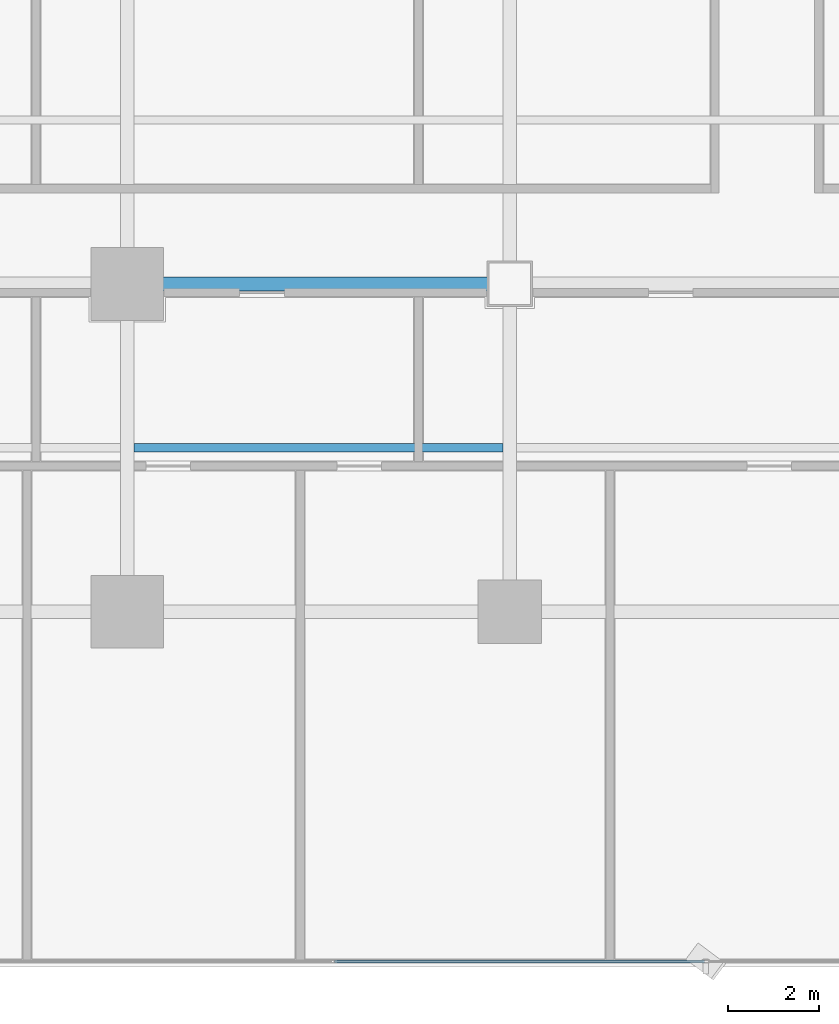
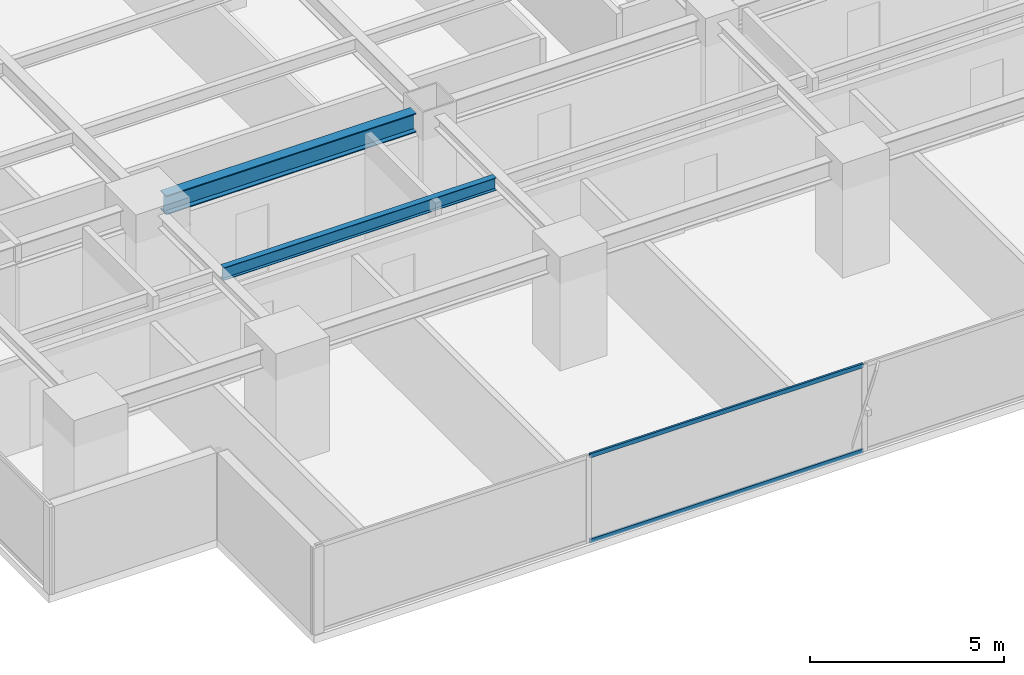
# One storey, part 5 of 37: 2 beams, 2 members, 1 element without a shape of its own.
"""IFC4 building model written with IfcOpenShell, lengths in metres."""

from ifc_helpers import new_model, si_unit, direction, frame, origin, origin_2d, place, context, subcontext, project, spatial, hollow_rectangle, i_section, extrude, source, transform, mapped, material, layer, layer_set, material_profile, profile_set, type_object, element, aggregate, save


model = new_model("IFC4")

# Units and contexts
model_context = context("Model", 3, precision=1e-05, world=origin(), true_north=direction((0.0, 1.0)))
body_context = subcontext(model_context, "Body", "Model", "MODEL_VIEW")
ifc_project = project(units=[si_unit("LENGTHUNIT", "METRE"), si_unit("AREAUNIT", "SQUARE_METRE"), si_unit("VOLUMEUNIT", "CUBIC_METRE"), si_unit("PLANEANGLEUNIT", "RADIAN"), si_unit("MASSUNIT", "GRAM", prefix="KILO")], contexts=[model_context])

# Site, building, storey
site_placement = place(None, origin())
site = spatial("IfcSite", under=ifc_project, at=site_placement, CompositionType="ELEMENT")
building_placement = place(site_placement, origin())
building = spatial("IfcBuilding", under=site, at=building_placement, Name="Sumidabori Civic Tower", CompositionType="ELEMENT")
storey_placement = place(building_placement, frame((0.0, 0.0, 117.199951171875)))
storey = spatial("IfcBuildingStorey", under=building, at=storey_placement, Name="L30", CompositionType="ELEMENT", Elevation=117.199951171875)

# Beams
ifc_material_1 = material(Name="Steel SN490", Category="steel")
ifc_material_profile_1 = material_profile(ifc_material_1, i_section(OverallWidth=0.300048828125, OverallDepth=0.60009765625, WebThickness=0.015380859375, FlangeThickness=0.030029296875, at=origin_2d()), Name="HE 600 B")
ifc_profile_set_1 = profile_set([ifc_material_profile_1], Name="Steel SN490")
beam_type_1 = type_object("IfcBeamType", Name="BM-GIRD-600", PredefinedType="BEAM", material=ifc_profile_set_1)
shared_shape_1 = source(origin(), body_context, "Body", "SweptSolid", [
    extrude(i_section(OverallWidth=0.300048828125, OverallDepth=0.60009765625, WebThickness=0.015380859375, FlangeThickness=0.030029296875, at=origin_2d()), origin(), (0.0, 0.0, 1.0), 7.440185546875),
])
beam_1_placement = place(storey_placement, frame((-16.320068359375, -10.800048828125, 3.06005859375), z_axis=(1.0, 0.0, 0.0), x_axis=(0.0, 1.0, 0.0)))
element("IfcBeam", 1, at=beam_1_placement, inside=storey, type_object=beam_type_1, Name="Primary Girder L30 GX-08", PredefinedType="BEAM", context=body_context, shape_type="MappedRepresentation", body=[
    mapped(shared_shape_1, transform((0.0, 0.0, 0.0), x_axis=(1.0, 0.0, 0.0), y_axis=(0.0, 1.0, 0.0), z_axis=(0.0, 0.0, 1.0), scale=1.0)),
])
ifc_material_profile_2 = material_profile(ifc_material_1, i_section(OverallWidth=0.179931640625, OverallDepth=0.39990234375, WebThickness=0.008544921875, FlangeThickness=0.013427734375, at=origin_2d()), Name="IPE 400")
ifc_profile_set_2 = profile_set([ifc_material_profile_2], Name="Steel SN490")
beam_type_2 = type_object("IfcBeamType", Name="BM-JST-400", PredefinedType="JOIST", material=ifc_profile_set_2)
shared_shape_2 = source(origin(), body_context, "Body", "SweptSolid", [
    extrude(i_section(OverallWidth=0.179931640625, OverallDepth=0.39990234375, WebThickness=0.008544921875, FlangeThickness=0.013427734375, at=origin_2d()), origin(), (0.0, 0.0, 1.0), 8.099853515625),
])
beam_2_placement = place(storey_placement, frame((-16.64990234375, -14.39990234375, 3.16015625), z_axis=(1.0, 0.0, 0.0), x_axis=(0.0, 1.0, 0.0)))
element("IfcBeam", 2, at=beam_2_placement, inside=storey, type_object=beam_type_2, Name="South Bay Floor Joist L30 JSTS-55", PredefinedType="JOIST", context=body_context, shape_type="MappedRepresentation", body=[
    mapped(shared_shape_2, transform((0.0, 0.0, 0.0), x_axis=(1.0, 0.0, 0.0), y_axis=(0.0, 1.0, 0.0), z_axis=(0.0, 0.0, 1.0), scale=1.0)),
])

# Curtain wall, members
ifc_material_2 = material(Name="Anodised Bronze Aluminium AW-6063-T6", Category="aluminium")
ifc_layer = layer(ifc_material_2, 0.179931640625, Name="Anodised Bronze Aluminium AW-6063-T6")
ifc_layer_set = layer_set([ifc_layer], Name="Anodised Bronze Aluminium AW-6063-T6")
curtain_wall_type = type_object("IfcCurtainWallType", Name="CW-SYS-3", PredefinedType="NOTDEFINED", material=ifc_layer_set)
curtain_wall_placement = place(storey_placement, origin())
curtain_wall = element("IfcCurtainWall", 3, at=curtain_wall_placement, inside=storey, type_object=curtain_wall_type, Name="Curtain Wall CW:L30:R01", PredefinedType="NOTDEFINED")
ifc_material_profile_3 = material_profile(ifc_material_2, hollow_rectangle(XDim=0.06005859375, YDim=0.1298828125, WallThickness=0.0048828125, at=origin_2d()), Name="ALU TRANSOM 130x60")
ifc_profile_set_3 = profile_set([ifc_material_profile_3], Name="Anodised Bronze Aluminium AW-6063-T6")
member_type = type_object("IfcMemberType", Name="CW-TRN-130", PredefinedType="USERDEFINED", material=ifc_profile_set_3)
shared_shape_3 = source(origin(), body_context, "Body", "SweptSolid", [
    extrude(hollow_rectangle(XDim=0.06005859375, YDim=0.1298828125, WallThickness=0.0048828125, at=origin_2d()), origin(), (0.0, 0.0, 1.0), 8.123046875),
])
member_1_placement = place(storey_placement, frame((-12.24951171875, -25.679931640625, 0.030029296875), z_axis=(1.0, 0.0, 0.0), x_axis=(0.0, 1.0, 0.0)))
member_1 = element("IfcMember", 4, at=member_1_placement, type_object=member_type, Name="CW-3 transom 2.1", ObjectType="TRANSOM", PredefinedType="USERDEFINED", context=body_context, shape_type="MappedRepresentation", body=[
    mapped(shared_shape_3, transform((0.0, 0.0, 0.0), x_axis=(1.0, 0.0, 0.0), y_axis=(0.0, 1.0, 0.0), z_axis=(0.0, 0.0, 1.0), scale=1.0)),
])
member_2_placement = place(storey_placement, frame((-12.24951171875, -25.679931640625, 2.7099609375), z_axis=(1.0, 0.0, 0.0), x_axis=(0.0, 1.0, 0.0)))
member_2 = element("IfcMember", 5, at=member_2_placement, type_object=member_type, Name="CW-3 transom 2.2", ObjectType="TRANSOM", PredefinedType="USERDEFINED", context=body_context, shape_type="MappedRepresentation", body=[
    mapped(shared_shape_3, transform((0.0, 0.0, 0.0), x_axis=(1.0, 0.0, 0.0), y_axis=(0.0, 1.0, 0.0), z_axis=(0.0, 0.0, 1.0), scale=1.0)),
])
aggregate(curtain_wall, [member_1, member_2])

save(model, "model.ifc")
